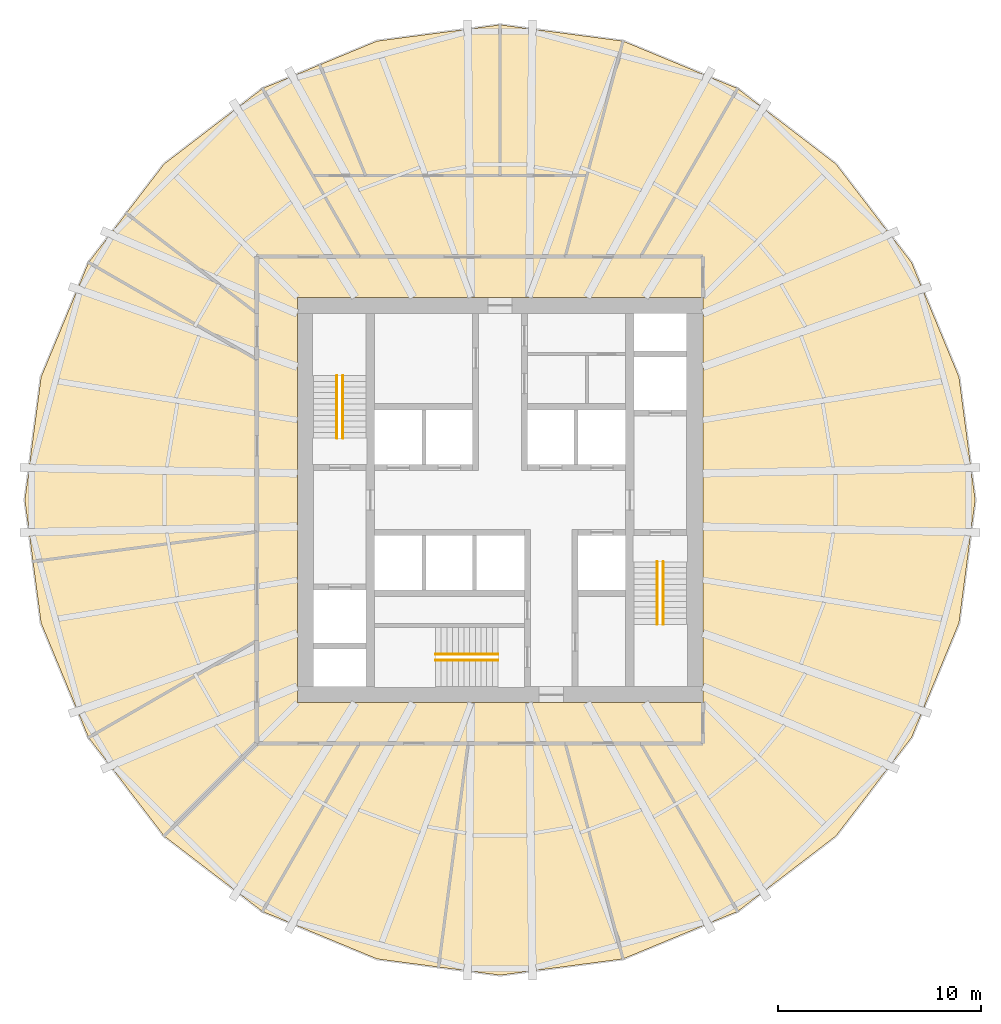
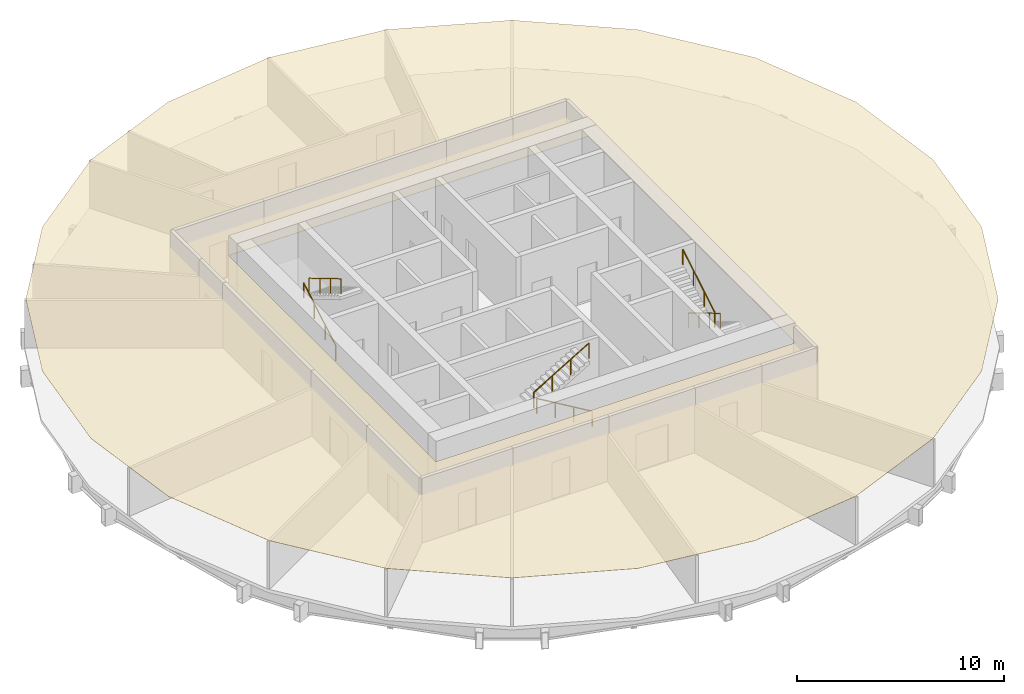
# One storey, part 6 of 6: 6 railings, 1 covering.
"""IFC4 building model written with IfcOpenShell, lengths in metres."""

from ifc_helpers import new_model, si_unit, direction, frame, origin, origin_2d, place, context, subcontext, project, spatial, polyline, circle, outline, extrude, material, layer, layer_set, type_object, element, save


model = new_model("IFC4")

# Units and contexts
model_context = context("Model", 3, precision=1e-05, world=origin(), true_north=direction((0.0, 1.0)))
body_context = subcontext(model_context, "Body", "Model", "MODEL_VIEW")
ifc_project = project(units=[si_unit("LENGTHUNIT", "METRE"), si_unit("AREAUNIT", "SQUARE_METRE"), si_unit("VOLUMEUNIT", "CUBIC_METRE"), si_unit("PLANEANGLEUNIT", "RADIAN"), si_unit("MASSUNIT", "GRAM", prefix="KILO")], contexts=[model_context])

# Site, building, storey
site_placement = place(None, origin())
site = spatial("IfcSite", under=ifc_project, at=site_placement, CompositionType="ELEMENT")
building_placement = place(site_placement, origin())
building = spatial("IfcBuilding", under=site, at=building_placement, Name="Golbaran Civic Tower", CompositionType="ELEMENT")
storey_placement = place(building_placement, frame((0.0, 0.0, 57.0)))
storey = spatial("IfcBuildingStorey", under=building, at=storey_placement, Name="L13", CompositionType="ELEMENT", Elevation=57.0)

# Railings
ifc_material_1 = material(Name="Stainless steel", Category="steel")
railing_type = type_object("IfcRailingType", Name="STAIR HANDRAIL 900", PredefinedType="HANDRAIL", material=ifc_material_1)
railing_1_placement = place(storey_placement, frame((-8.050048828125, 3.050048828125, 0.166748046875)))
element("IfcRailing", 1, at=railing_1_placement, inside=storey, type_object=railing_type, Name="Stair S1 handrail flight 1 L13", PredefinedType="HANDRAIL", context=body_context, shape_type="SweptSolid", body=[
    extrude(circle(Radius=0.02392578125, at=origin_2d()), frame((0.0, 0.0, 0.8759765625), z_axis=(0.0, 0.859290745958, 0.51148745235), x_axis=(-1.0, 0.0, 0.0)), (0.0, 0.0, 1.0), 3.584228515625),
    extrude(circle(Radius=0.02099609375, at=origin_2d()), origin(), (0.0, 0.0, 1.0), 0.851806640625),
    extrude(circle(Radius=0.02099609375, at=origin_2d()), frame((0.0, 1.026611328125, 0.611083984375)), (0.0, 0.0, 1.0), 0.851806640625),
    extrude(circle(Radius=0.02099609375, at=origin_2d()), frame((0.0, 2.05322265625, 1.22216796875)), (0.0, 0.0, 1.0), 0.851806640625),
    extrude(circle(Radius=0.02099609375, at=origin_2d()), frame((0.0, 3.079833984375, 1.833251953125)), (0.0, 0.0, 1.0), 0.851806640625),
])
for number, where, name in (
    (2, (-7.75, 6.1298828125, 2.166748046875), "Stair S1 handrail flight 2 L13"),
    (3, (8.050048828125, -3.050048828125, 0.166748046875), "Stair S2 handrail flight 1 L13"),
):
    element("IfcRailing", number, at=place(storey_placement, frame(where)), inside=storey, type_object=railing_type, Name=name, PredefinedType="HANDRAIL", context=body_context, shape_type="SweptSolid", body=[
        extrude(circle(Radius=0.02392578125, at=origin_2d()), frame((0.0, 0.0, 0.8759765625), z_axis=(0.0, -0.859290745958, 0.51148745235), x_axis=(1.0, 0.0, 0.0)), (0.0, 0.0, 1.0), 3.584228515625),
        extrude(circle(Radius=0.02099609375, at=origin_2d()), origin(), (0.0, 0.0, 1.0), 0.851806640625),
        extrude(circle(Radius=0.02099609375, at=origin_2d()), frame((0.0, -1.026611328125, 0.611083984375)), (0.0, 0.0, 1.0), 0.851806640625),
        extrude(circle(Radius=0.02099609375, at=origin_2d()), frame((0.0, -2.05322265625, 1.22216796875)), (0.0, 0.0, 1.0), 0.851806640625),
        extrude(circle(Radius=0.02099609375, at=origin_2d()), frame((0.0, -3.079833984375, 1.833251953125)), (0.0, 0.0, 1.0), 0.851806640625),
    ])
railing_2_placement = place(storey_placement, frame((7.75, -6.1298828125, 2.166748046875)))
element("IfcRailing", 4, at=railing_2_placement, inside=storey, type_object=railing_type, Name="Stair S2 handrail flight 2 L13", PredefinedType="HANDRAIL", context=body_context, shape_type="SweptSolid", body=[
    extrude(circle(Radius=0.02392578125, at=origin_2d()), frame((0.0, 0.0, 0.8759765625), z_axis=(0.0, 0.859290745958, 0.51148745235), x_axis=(-1.0, 0.0, 0.0)), (0.0, 0.0, 1.0), 3.584228515625),
    extrude(circle(Radius=0.02099609375, at=origin_2d()), origin(), (0.0, 0.0, 1.0), 0.851806640625),
    extrude(circle(Radius=0.02099609375, at=origin_2d()), frame((0.0, 1.026611328125, 0.611083984375)), (0.0, 0.0, 1.0), 0.851806640625),
    extrude(circle(Radius=0.02099609375, at=origin_2d()), frame((0.0, 2.05322265625, 1.22216796875)), (0.0, 0.0, 1.0), 0.851806640625),
    extrude(circle(Radius=0.02099609375, at=origin_2d()), frame((0.0, 3.079833984375, 1.833251953125)), (0.0, 0.0, 1.0), 0.851806640625),
])
railing_3_placement = place(storey_placement, frame((-0.10009765625, -7.89990234375, 0.166748046875)))
element("IfcRailing", 5, at=railing_3_placement, inside=storey, type_object=railing_type, Name="Stair S3 handrail flight 1 L13", PredefinedType="HANDRAIL", context=body_context, shape_type="SweptSolid", body=[
    extrude(circle(Radius=0.02392578125, at=origin_2d()), frame((0.0, 0.0, 0.8759765625), z_axis=(-0.859290745958, 0.0, 0.51148745235), x_axis=(0.0, -1.0, 0.0)), (0.0, 0.0, 1.0), 3.584228515625),
    extrude(circle(Radius=0.02099609375, at=origin_2d()), origin(), (0.0, 0.0, 1.0), 0.851806640625),
    extrude(circle(Radius=0.02099609375, at=origin_2d()), frame((-1.026611328125, 0.0, 0.611083984375)), (0.0, 0.0, 1.0), 0.851806640625),
    extrude(circle(Radius=0.02099609375, at=origin_2d()), frame((-2.05322265625, 0.0, 1.22216796875)), (0.0, 0.0, 1.0), 0.851806640625),
    extrude(circle(Radius=0.02099609375, at=origin_2d()), frame((-3.079833984375, 0.0, 1.833251953125)), (0.0, 0.0, 1.0), 0.851806640625),
])
railing_4_placement = place(storey_placement, frame((-3.179931640625, -7.60009765625, 2.166748046875)))
element("IfcRailing", 6, at=railing_4_placement, inside=storey, type_object=railing_type, Name="Stair S3 handrail flight 2 L13", PredefinedType="HANDRAIL", context=body_context, shape_type="SweptSolid", body=[
    extrude(circle(Radius=0.02392578125, at=origin_2d()), frame((0.0, 0.0, 0.8759765625), z_axis=(0.859290745958, 0.0, 0.51148745235), x_axis=(0.0, 1.0, 0.0)), (0.0, 0.0, 1.0), 3.584228515625),
    extrude(circle(Radius=0.02099609375, at=origin_2d()), origin(), (0.0, 0.0, 1.0), 0.851806640625),
    extrude(circle(Radius=0.02099609375, at=origin_2d()), frame((1.026611328125, 0.0, 0.611083984375)), (0.0, 0.0, 1.0), 0.851806640625),
    extrude(circle(Radius=0.02099609375, at=origin_2d()), frame((2.05322265625, 0.0, 1.22216796875)), (0.0, 0.0, 1.0), 0.851806640625),
    extrude(circle(Radius=0.02099609375, at=origin_2d()), frame((3.079833984375, 0.0, 1.833251953125)), (0.0, 0.0, 1.0), 0.851806640625),
])

# Covering
ifc_material_2 = material(Name="Mineral fibre tile on steel grid", Category="steel")
ifc_layer = layer(ifc_material_2, 0.02001953125, Name="Mineral fibre tile on steel grid")
ifc_layer_set = layer_set([ifc_layer], Name="Mineral fibre tile on steel grid")
covering_type = type_object("IfcCoveringType", Name="SUSPENDED CEILING 600 TILE 20", PredefinedType="CEILING", material=ifc_layer_set)
covering_placement = place(storey_placement, frame((0.0, 0.0, 2.800048828125)))
element("IfcCovering", 7, at=covering_placement, inside=storey, type_object=covering_type, Name="Suspended ceiling L13", PredefinedType="CEILING", context=body_context, shape_type="SweptSolid", body=[
    extrude(outline(polyline([(-23.43505859375, 0.0), (-22.636474609375, 6.0654296875), (-20.29541015625, 11.717529296875), (-16.571044921875, 16.571044921875), (-11.717529296875, 20.29541015625), (-6.0654296875, 22.636474609375), (0.0, 23.43505859375), (6.0654296875, 22.636474609375), (11.717529296875, 20.29541015625), (16.571044921875, 16.571044921875), (20.29541015625, 11.717529296875), (22.636474609375, 6.0654296875), (23.43505859375, 0.0), (22.636474609375, -6.0654296875), (20.29541015625, -11.717529296875), (16.571044921875, -16.571044921875), (11.717529296875, -20.29541015625), (6.0654296875, -22.636474609375), (0.0, -23.43505859375), (-6.0654296875, -22.636474609375), (-11.717529296875, -20.29541015625), (-16.571044921875, -16.571044921875), (-20.29541015625, -11.717529296875), (-22.636474609375, -6.0654296875), (-23.43505859375, 0.0)]), holes=[polyline([(10.0, -10.0), (10.0, 10.0), (-10.0, 10.0), (-10.0, -10.0), (10.0, -10.0)])]), origin(), (0.0, 0.0, 1.0), 0.02001953125),
])

save(model, "model.ifc")
